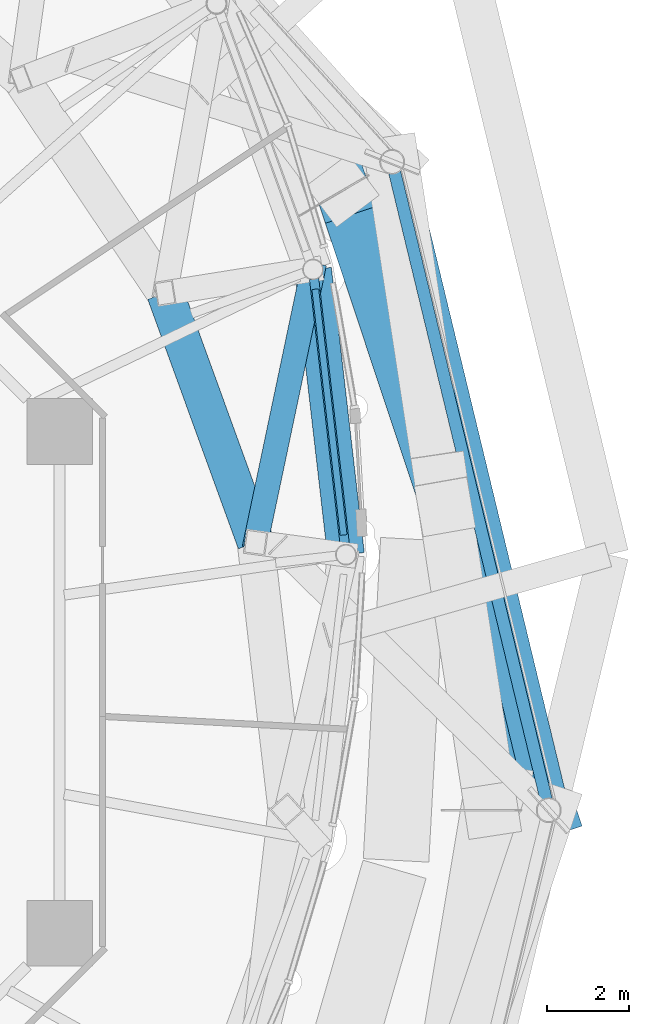
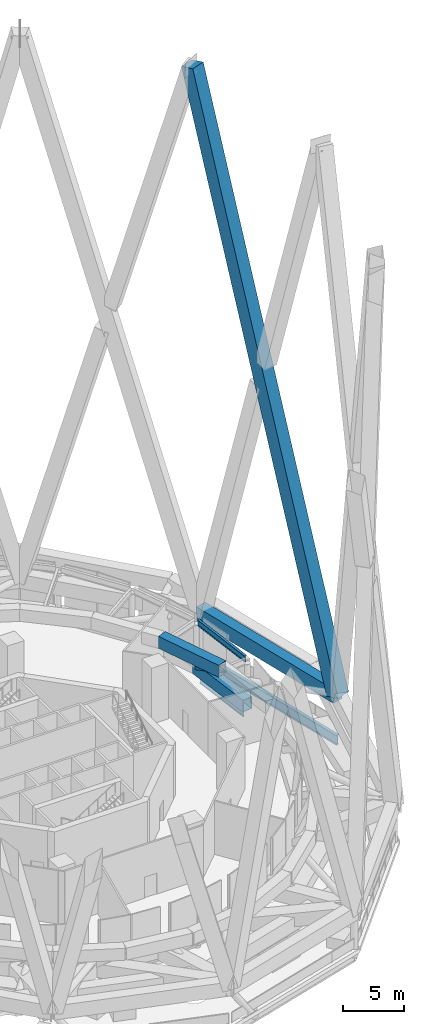
# One storey, part 27 of 48: 6 beams, 2 members.
"""IFC4 building model written with IfcOpenShell, lengths in metres."""

from ifc_helpers import new_model, si_unit, direction, frame, origin, origin_2d, place, context, subcontext, project, spatial, rectangle, hollow_rectangle, i_section, extrude, material, material_profile, profile_set, type_object, element, save


model = new_model("IFC4")

# Units and contexts
model_context = context("Model", 3, precision=1e-05, world=origin(), true_north=direction((0.0, 1.0)))
body_context = subcontext(model_context, "Body", "Model", "MODEL_VIEW")
ifc_project = project(units=[si_unit("LENGTHUNIT", "METRE"), si_unit("AREAUNIT", "SQUARE_METRE"), si_unit("VOLUMEUNIT", "CUBIC_METRE"), si_unit("PLANEANGLEUNIT", "RADIAN"), si_unit("MASSUNIT", "GRAM", prefix="KILO")], contexts=[model_context])

# Site, building, storey
site_placement = place(None, origin())
site = spatial("IfcSite", under=ifc_project, at=site_placement, CompositionType="ELEMENT")
building_placement = place(site_placement, origin())
building = spatial("IfcBuilding", under=site, at=building_placement, Name="Nagisa Residences", CompositionType="ELEMENT")
storey_placement = place(building_placement, frame((0.0, 0.0, 252.89990234375)))
storey = spatial("IfcBuildingStorey", under=building, at=storey_placement, Name="L64", CompositionType="ELEMENT", Elevation=252.89990234375)

# Beams
ifc_material_1 = material(Name="Steel ASTM A572 Gr 50", Category="steel")
ifc_material_profile_1 = material_profile(ifc_material_1, hollow_rectangle(XDim=0.89990234375, YDim=1.199951171875, WallThickness=0.0400390625, at=origin_2d()), Name="BX 900x1200x40")
ifc_profile_set_1 = profile_set([ifc_material_profile_1], Name="Steel ASTM A572 Gr 50")
beam_type_1 = type_object("IfcBeamType", Name="Belt chord 5 BX 900x1200x40", PredefinedType="BEAM", material=ifc_profile_set_1)
beam_1_placement = place(storey_placement, frame((21.77001953125, 3.11767578125, 0.60009765625), z_axis=(-0.114649239058, 0.99340603581, 0.0), x_axis=(-0.99340603581, -0.114649239058, 0.0)))
element("IfcBeam", 1, at=beam_1_placement, inside=storey, type_object=beam_type_1, Name="beam:L64:bt5b01", PredefinedType="BEAM", context=body_context, shape_type="SweptSolid", body=[
    extrude(hollow_rectangle(XDim=0.89990234375, YDim=1.199951171875, WallThickness=0.0400390625, at=origin_2d()), origin(), (0.0, 0.0, 1.0), 7.005859375),
])
beam_2_placement = place(storey_placement, frame((19.566162109375, 3.414794921875, 4.739990234375), z_axis=(-0.341213297121, 0.939985896632, 0.0), x_axis=(-0.939985896632, -0.341213297121, 0.0)))
element("IfcBeam", 2, at=beam_2_placement, inside=storey, type_object=beam_type_1, Name="beam:L64:bt5t02", PredefinedType="BEAM", context=body_context, shape_type="SweptSolid", body=[
    extrude(hollow_rectangle(XDim=0.89990234375, YDim=1.199951171875, WallThickness=0.0400390625, at=origin_2d()), origin(), (0.0, 0.0, 1.0), 6.47607421875),
])
ifc_material_2 = material(Name="Steel ASTM A572 Gr 50", Category="steel")
ifc_material_profile_2 = material_profile(ifc_material_2, hollow_rectangle(XDim=0.60009765625, YDim=0.60009765625, WallThickness=0.034912109375, at=origin_2d()), Name="BX 600x600x35")
ifc_profile_set_2 = profile_set([ifc_material_profile_2], Name="Steel ASTM A572 Gr 50")
beam_type_2 = type_object("IfcBeamType", Name="Belt diagonal 5 BX 600x600x35", PredefinedType="BEAM", material=ifc_profile_set_2)
beam_3_placement = place(storey_placement, frame((20.966796875, 10.077392578125, 0.60009765625), z_axis=(-0.175780161242, -0.83615837551, 0.519557990968), x_axis=(0.978609478205, -0.205726734205, 0.0)))
element("IfcBeam", 3, at=beam_3_placement, inside=storey, type_object=beam_type_2, Name="beam:L64:bt5da02", PredefinedType="BEAM", context=body_context, shape_type="SweptSolid", body=[
    extrude(hollow_rectangle(XDim=0.60009765625, YDim=0.60009765625, WallThickness=0.034912109375, at=origin_2d()), origin(), (0.0, 0.0, 1.0), 7.968017578125),
])

# Members
ifc_material_3 = material(Name="Concrete C80", Category="concrete")
ifc_material_profile_3 = material_profile(ifc_material_3, rectangle(XDim=1.300048828125, YDim=1.300048828125, at=origin_2d()), Name="C80 1300x1300")
ifc_profile_set_3 = profile_set([ifc_material_profile_3], Name="Concrete C80")
member_type_1 = type_object("IfcMemberType", Name="Cage diagonal 6 C80 1300x1300", PredefinedType="BRACE", material=ifc_profile_set_3)
member_1_placement = place(storey_placement, frame((26.719970703125, -3.11767578125, 3.7001953125), z_axis=(-0.087025924514, 0.261415459624, 0.96129519188), x_axis=(-0.948805789751, -0.315860053403, 0.0)))
element("IfcMember", 4, at=member_1_placement, inside=storey, type_object=member_type_1, Name="mem:L64:cg6d001", PredefinedType="BRACE", context=body_context, shape_type="SweptSolid", body=[
    extrude(rectangle(XDim=1.300048828125, YDim=1.300048828125, at=origin_2d()), origin(), (0.0, 0.0, 1.0), 57.83837890625),
])
ifc_material_4 = material(Name="Concrete C80", Category="concrete")
ifc_material_profile_4 = material_profile(ifc_material_4, rectangle(XDim=1.0, YDim=1.39990234375, at=origin_2d()), Name="C80 1000x1400")
ifc_profile_set_4 = profile_set([ifc_material_profile_4], Name="Concrete C80")
member_type_2 = type_object("IfcMemberType", Name="Cage ring 6 C80 1000x1400", PredefinedType="CHORD", material=ifc_profile_set_4)
member_2_placement = place(storey_placement, frame((26.719970703125, -3.11767578125, 3.7001953125), z_axis=(-0.23478032632, 0.972048454745, 0.0), x_axis=(-0.972048454745, -0.23478032632, 0.0)))
element("IfcMember", 5, at=member_2_placement, inside=storey, type_object=member_type_2, Name="beam:L64:cg6r001", PredefinedType="CHORD", context=body_context, shape_type="SweptSolid", body=[
    extrude(rectangle(XDim=1.0, YDim=1.39990234375, at=origin_2d()), origin(), (0.0, 0.0, 1.0), 16.27490234375),
])

# Beams
ifc_material_5 = material(Name="Steel ASTM A572 Gr 50", Category="steel")
ifc_material_profile_5 = material_profile(ifc_material_5, i_section(OverallWidth=0.300048828125, OverallDepth=0.97998046875, WebThickness=0.0166015625, FlangeThickness=0.02587890625, at=origin_2d()), Name="W1000x249")
ifc_profile_set_5 = profile_set([ifc_material_profile_5], Name="Steel ASTM A572 Gr 50")
beam_type_3 = type_object("IfcBeamType", Name="Deck edge beam W1000x249", PredefinedType="BEAM", material=ifc_profile_set_5)
beam_4_placement = place(storey_placement, frame((26.719970703125, -3.11767578125, -0.889892578125), z_axis=(-0.23478032632, 0.972048454745, 0.0), x_axis=(-0.972048454745, -0.23478032632, 0.0)))
element("IfcBeam", 6, at=beam_4_placement, inside=storey, type_object=beam_type_3, Name="beam:L64:deckedge01", PredefinedType="BEAM", context=body_context, shape_type="SweptSolid", body=[
    extrude(i_section(OverallWidth=0.300048828125, OverallDepth=0.97998046875, WebThickness=0.0166015625, FlangeThickness=0.02587890625, at=origin_2d()), origin(), (0.0, 0.0, 1.0), 16.27490234375),
])
ifc_material_6 = material(Name="Steel ASTM A572 Gr 50", Category="steel")
ifc_material_profile_6 = material_profile(ifc_material_6, i_section(OverallWidth=0.22802734375, OverallDepth=0.60302734375, WebThickness=0.010498046875, FlangeThickness=0.014892578125, at=origin_2d()), Name="W610x101")
ifc_profile_set_6 = profile_set([ifc_material_profile_6], Name="Steel ASTM A572 Gr 50")
beam_type_4 = type_object("IfcBeamType", Name="Garden edge beam W610x101", PredefinedType="BEAM", material=ifc_profile_set_6)
beam_5_placement = place(storey_placement, frame((21.7431640625, 3.35009765625, 5.03857421875), z_axis=(-0.114639698905, 0.993407136795, 0.0), x_axis=(-0.993407136795, -0.114639698905, 0.0)))
element("IfcBeam", 7, at=beam_5_placement, inside=storey, type_object=beam_type_4, Name="beam:L64:bt5ge01", PredefinedType="BEAM", context=body_context, shape_type="SweptSolid", body=[
    extrude(i_section(OverallWidth=0.22802734375, OverallDepth=0.60302734375, WebThickness=0.010498046875, FlangeThickness=0.014892578125, at=origin_2d()), origin(), (0.0, 0.0, 1.0), 6.5380859375),
])
ifc_material_7 = material(Name="Steel ASTM A572 Gr 50", Category="steel")
ifc_material_profile_7 = material_profile(ifc_material_7, i_section(OverallWidth=0.166015625, OverallDepth=0.534912109375, WebThickness=0.01025390625, FlangeThickness=0.0166015625, at=origin_2d()), Name="W530x85")
ifc_profile_set_7 = profile_set([ifc_material_profile_7], Name="Steel ASTM A572 Gr 50")
beam_type_5 = type_object("IfcBeamType", Name="Perimeter ring beam W530x85", PredefinedType="BEAM", material=ifc_profile_set_7)
beam_6_placement = place(storey_placement, frame((21.714599609375, 3.597900390625, -0.617431640625), z_axis=(-0.114650193512, 0.993405925656, 0.0), x_axis=(-0.993405925656, -0.114650193512, 0.0)))
element("IfcBeam", 8, at=beam_6_placement, inside=storey, type_object=beam_type_5, Name="beam:L64:pb01", PredefinedType="BEAM", context=body_context, shape_type="SweptSolid", body=[
    extrude(i_section(OverallWidth=0.166015625, OverallDepth=0.534912109375, WebThickness=0.01025390625, FlangeThickness=0.0166015625, at=origin_2d()), origin(), (0.0, 0.0, 1.0), 6.0390625),
])

save(model, "model.ifc")
